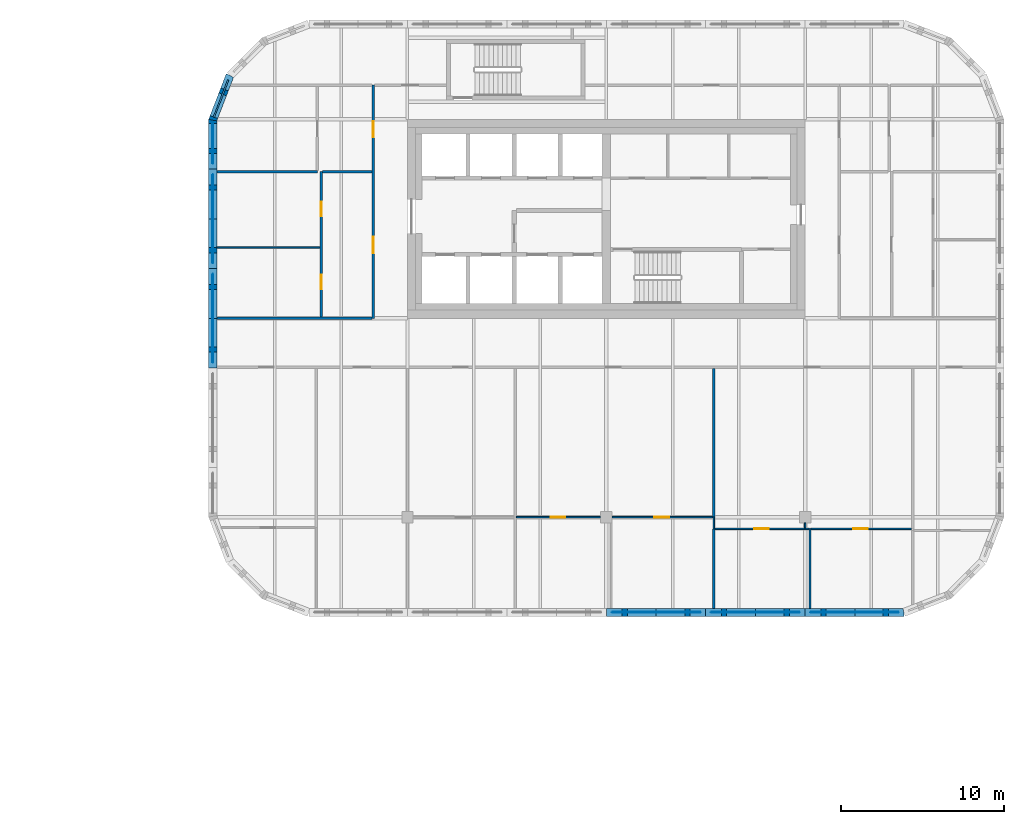
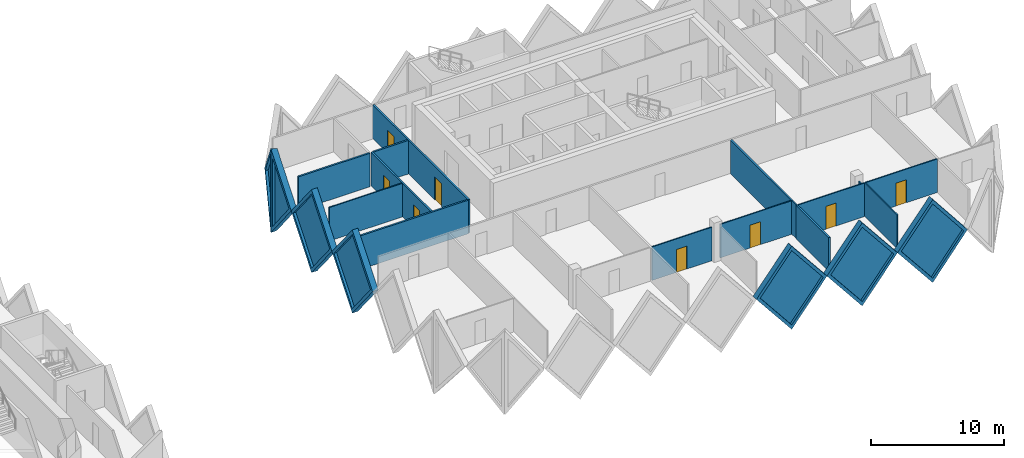
# One storey, part 12 of 19: 22 walls, 8 doors, 7 plates, 15 openings.
"""IFC4 building model written with IfcOpenShell, lengths in metres."""

from ifc_helpers import new_model, si_unit, direction, frame, frame_2d, origin, place, context, subcontext, project, spatial, polyline, rectangle, outline, extrude, faceted_brep, source, transform, mapped, material, layer, layer_set, type_object, element, fill, save


model = new_model("IFC4")

# Units and contexts
model_context = context("Model", 3, precision=1e-05, world=origin(), true_north=direction((0.0, 1.0)))
body_context = subcontext(model_context, "Body", "Model", "MODEL_VIEW")
ifc_project = project(units=[si_unit("LENGTHUNIT", "METRE"), si_unit("AREAUNIT", "SQUARE_METRE"), si_unit("VOLUMEUNIT", "CUBIC_METRE"), si_unit("PLANEANGLEUNIT", "RADIAN"), si_unit("MASSUNIT", "GRAM", prefix="KILO")], contexts=[model_context])

# Site, building, storey
site_placement = place(None, origin())
site = spatial("IfcSite", under=ifc_project, at=site_placement, CompositionType="ELEMENT")
building_placement = place(site_placement, origin())
building = spatial("IfcBuilding", under=site, at=building_placement, Name="Tessera Gate Towers", CompositionType="ELEMENT")
storey_placement = place(building_placement, frame((0.0, 0.0, 87.60009765625)))
storey = spatial("IfcBuildingStorey", under=building, at=storey_placement, Name="L21", CompositionType="ELEMENT", Elevation=87.60009765625)

# Wall
ifc_material_1 = material(Name="Gypsum board on steel studs, mineral wool", Category="steel")
ifc_layer_1 = layer(ifc_material_1, 0.14990234375)
ifc_layer_set_1 = layer_set([ifc_layer_1], Name="CORRIDOR WALL 150")
wall_type_1 = type_object("IfcWallType", Name="CORRIDOR WALL 150", PredefinedType="PARTITIONING", material=ifc_layer_set_1)
wall_1_placement = place(storey_placement, frame((85.89990234375, 36.60009765625, 0.0), z_axis=(0.0, 0.0, 1.0), x_axis=(1.0, 0.0, 0.0)))
element("IfcWall", 1, at=wall_1_placement, inside=storey, type_object=wall_type_1, Name="T2-L21-PW-022", PredefinedType="PARTITIONING", context=body_context, shape_type="SweptSolid", body=[
    extrude(rectangle(XDim=9.524169921875, YDim=0.14990234375, at=frame_2d((4.76220703125, 0.0))), origin(), (0.0, 0.0, 1.0), 3.06689453125),
])

# Wall, openings, doors
wall_2_placement = place(storey_placement, frame((95.5, 36.60009765625, 0.0), z_axis=(0.0, 0.0, 1.0), x_axis=(0.0, 1.0, 0.0)))
wall_2 = element("IfcWall", 2, at=wall_2_placement, inside=storey, type_object=wall_type_1, Name="T2-L21-PW-023", PredefinedType="PARTITIONING", context=body_context, shape_type="SweptSolid", body=[
    extrude(rectangle(XDim=14.2998046875, YDim=0.14990234375, at=frame_2d((7.14990234375, 0.0))), origin(), (0.0, 0.0, 1.0), 3.06689453125),
])
shared_shape_1 = source(origin(), body_context, "Body", "SweptSolid", [
    extrude(rectangle(XDim=1.0, YDim=2.10009765625, at=frame_2d((0.5, 1.050048828125))), frame((0.0, 0.0849609375, 0.0), z_axis=(0.0, -1.0, 0.0), x_axis=(1.0, 0.0, 0.0)), (0.0, 0.0, 1.0), 0.169921875),
])
opening_1_placement = place(wall_2_placement, frame((11.10107421875, 0.0, 0.0)))
opening_1 = element("IfcOpeningElement", 3, at=opening_1_placement, cuts=wall_2, Name="Opening D2100FD60-B09-03", PredefinedType="OPENING", context=body_context, shape_type="MappedRepresentation", body=[
    mapped(shared_shape_1, transform((0.0, 0.0, 0.0), scale=1.0)),
])
opening_2_placement = place(wall_2_placement, frame((4.0, 0.0, 0.0)))
opening_2 = element("IfcOpeningElement", 4, at=opening_2_placement, cuts=wall_2, Name="Opening D2100FD60-B09-05", PredefinedType="OPENING", context=body_context, shape_type="MappedRepresentation", body=[
    mapped(shared_shape_1, transform((0.0, 0.0, 0.0), scale=1.0)),
])
ifc_material_2 = material(Name="Timber door leaf in steel frame", Category="steel")
door_type_1 = type_object("IfcDoorType", Name="TENANCY ENTRANCE DOOR 1000 FD60", OperationType="NOTDEFINED", PredefinedType="DOOR", material=ifc_material_2)
shared_shape_2 = source(origin(), body_context, "Body", "SweptSolid", [
    extrude(rectangle(XDim=1.0, YDim=2.10009765625, at=frame_2d((0.5, 1.050048828125))), frame((0.0, 0.02490234375, 0.0), z_axis=(0.0, -1.0, 0.0), x_axis=(1.0, 0.0, 0.0)), (0.0, 0.0, 1.0), 0.050048828125),
])
door_1_placement = place(opening_1_placement, origin())
door_1 = element("IfcDoor", 5, at=door_1_placement, inside=storey, type_object=door_type_1, Name="T2-L21-PD-012", OperationType="SINGLE_SWING_LEFT", OverallHeight=2.10009765625, OverallWidth=1.0, PredefinedType="DOOR", context=body_context, shape_type="MappedRepresentation", body=[
    mapped(shared_shape_2, transform((0.0, 0.0, 0.0), scale=1.0)),
])
fill(opening_1, door_1)
door_2_placement = place(opening_2_placement, origin())
door_2 = element("IfcDoor", 6, at=door_2_placement, inside=storey, type_object=door_type_1, Name="T2-L21-PD-023", OperationType="SINGLE_SWING_LEFT", OverallHeight=2.10009765625, OverallWidth=1.0, PredefinedType="DOOR", context=body_context, shape_type="MappedRepresentation", body=[
    mapped(shared_shape_2, transform((0.0, 0.0, 0.0), scale=1.0)),
])
fill(opening_2, door_2)

# Wall
ifc_material_3 = material(Name="Glass", Category="glass")
ifc_layer_2 = layer(ifc_material_3, 0.10009765625)
ifc_layer_set_2 = layer_set([ifc_layer_2], Name="GLAZED PARTITION 100")
wall_type_2 = type_object("IfcWallType", Name="GLAZED PARTITION 100", PredefinedType="PARTITIONING", material=ifc_layer_set_2)
wall_3_placement = place(storey_placement, frame((116.39990234375, 23.680908203125, 0.0), z_axis=(0.0, 0.0, 1.0), x_axis=(0.0, 1.0, 0.0)))
element("IfcWall", 7, at=wall_3_placement, inside=storey, type_object=wall_type_2, Name="T2-L21-PW-009", PredefinedType="PARTITIONING", context=body_context, shape_type="SweptSolid", body=[
    extrude(rectangle(XDim=0.718017578125, YDim=0.10009765625, at=frame_2d((0.35888671875, 0.0))), origin(), (0.0, 0.0, 1.0), 3.06689453125),
])

# Wall, opening, door
wall_4_placement = place(storey_placement, frame((122.24267578125, 23.679931640625, 0.0), z_axis=(0.0, 0.0, 1.0), x_axis=(-1.0, 0.0, 0.0)))
wall_4 = element("IfcWall", 8, at=wall_4_placement, inside=storey, type_object=wall_type_2, Name="T2-L21-PW-010", PredefinedType="PARTITIONING", context=body_context, shape_type="SweptSolid", body=[
    extrude(rectangle(XDim=5.7666015625, YDim=0.10009765625, at=frame_2d((2.88330078125, 0.0))), origin(), (0.0, 0.0, 1.0), 3.06689453125),
])
shared_shape_3 = source(origin(), body_context, "Body", "SweptSolid", [
    extrude(rectangle(XDim=0.89990234375, YDim=2.10009765625, at=frame_2d((0.449951171875, 1.050048828125))), frame((0.0, 0.06005859375, 0.0), z_axis=(0.0, -1.0, 0.0), x_axis=(1.0, 0.0, 0.0)), (0.0, 0.0, 1.0), 0.1201171875),
])
opening_3_placement = place(wall_4_placement, frame((2.466796875, 0.0, 0.0)))
opening_3 = element("IfcOpeningElement", 9, at=opening_3_placement, cuts=wall_4, Name="Opening D690-B09-03", PredefinedType="OPENING", context=body_context, shape_type="MappedRepresentation", body=[
    mapped(shared_shape_3, transform((0.0, 0.0, 0.0), scale=1.0)),
])
ifc_material_4 = material(Name="Glass in aluminium frame", Category="aluminium")
door_type_2 = type_object("IfcDoorType", Name="GLAZED DOOR 900 NOT RATED", OperationType="NOTDEFINED", PredefinedType="DOOR", material=ifc_material_4)
shared_shape_4 = source(origin(), body_context, "Body", "SweptSolid", [
    extrude(rectangle(XDim=0.89990234375, YDim=2.10009765625, at=frame_2d((0.449951171875, 1.050048828125))), frame((0.0, 0.02490234375, 0.0), z_axis=(0.0, -1.0, 0.0), x_axis=(1.0, 0.0, 0.0)), (0.0, 0.0, 1.0), 0.050048828125),
])
door_3_placement = place(opening_3_placement, origin())
door_3 = element("IfcDoor", 10, at=door_3_placement, inside=storey, type_object=door_type_2, Name="T2-L21-PD-016", OperationType="SINGLE_SWING_RIGHT", OverallHeight=2.10009765625, OverallWidth=0.89990234375, PredefinedType="DOOR", context=body_context, shape_type="MappedRepresentation", body=[
    mapped(shared_shape_4, transform((0.0, 0.0, 0.0), scale=1.0)),
])
fill(opening_3, door_3)

wall_5_placement = place(storey_placement, frame((128.52392578125, 23.679931640625, 0.0), z_axis=(0.0, 0.0, 1.0), x_axis=(-1.0, 0.0, 0.0)))
wall_5 = element("IfcWall", 11, at=wall_5_placement, inside=storey, type_object=wall_type_2, Name="T2-L21-PW-011", PredefinedType="PARTITIONING", context=body_context, shape_type="SweptSolid", body=[
    extrude(rectangle(XDim=6.17919921875, YDim=0.10009765625, at=frame_2d((3.089599609375, 0.0))), origin(), (0.0, 0.0, 1.0), 3.06689453125),
])
opening_4_placement = place(wall_5_placement, frame((2.67919921875, 0.0, 0.0)))
opening_4 = element("IfcOpeningElement", 12, at=opening_4_placement, cuts=wall_5, Name="Opening D690-B09-05", PredefinedType="OPENING", context=body_context, shape_type="MappedRepresentation", body=[
    mapped(shared_shape_3, transform((0.0, 0.0, 0.0), scale=1.0)),
])
door_4_placement = place(opening_4_placement, origin())
door_4 = element("IfcDoor", 13, at=door_4_placement, inside=storey, type_object=door_type_2, Name="T2-L21-PD-020", OperationType="SINGLE_SWING_RIGHT", OverallHeight=2.10009765625, OverallWidth=0.89990234375, PredefinedType="DOOR", context=body_context, shape_type="MappedRepresentation", body=[
    mapped(shared_shape_4, transform((0.0, 0.0, 0.0), scale=1.0)),
])
fill(opening_4, door_4)

wall_6_placement = place(storey_placement, frame((109.448974609375, 24.39990234375, 0.0), z_axis=(0.0, 0.0, 1.0), x_axis=(-1.0, 0.0, 0.0)))
wall_6 = element("IfcWall", 14, at=wall_6_placement, inside=storey, type_object=wall_type_2, Name="T2-L21-PW-017", PredefinedType="PARTITIONING", context=body_context, shape_type="SweptSolid", body=[
    extrude(rectangle(XDim=5.173095703125, YDim=0.10009765625, at=frame_2d((2.58642578125, 0.0))), origin(), (0.0, 0.0, 1.0), 3.06689453125),
])
opening_5_placement = place(wall_6_placement, frame((2.173095703125, 0.0, 0.0)))
opening_5 = element("IfcOpeningElement", 15, at=opening_5_placement, cuts=wall_6, Name="Opening D690-B09-01", PredefinedType="OPENING", context=body_context, shape_type="MappedRepresentation", body=[
    mapped(shared_shape_3, transform((0.0, 0.0, 0.0), scale=1.0)),
])
door_5_placement = place(opening_5_placement, origin())
door_5 = element("IfcDoor", 16, at=door_5_placement, inside=storey, type_object=door_type_2, Name="T2-L21-PD-010", OperationType="SINGLE_SWING_RIGHT", OverallHeight=2.10009765625, OverallWidth=0.89990234375, PredefinedType="DOOR", context=body_context, shape_type="MappedRepresentation", body=[
    mapped(shared_shape_4, transform((0.0, 0.0, 0.0), scale=1.0)),
])
fill(opening_5, door_5)

wall_7_placement = place(storey_placement, frame((116.323974609375, 24.39990234375, 0.0), z_axis=(0.0, 0.0, 1.0), x_axis=(-1.0, 0.0, 0.0)))
wall_7 = element("IfcWall", 17, at=wall_7_placement, inside=storey, type_object=wall_type_2, Name="T2-L21-PW-018", PredefinedType="PARTITIONING", context=body_context, shape_type="SweptSolid", body=[
    extrude(rectangle(XDim=6.173095703125, YDim=0.10009765625, at=frame_2d((3.08642578125, 0.0))), origin(), (0.0, 0.0, 1.0), 3.06689453125),
])
opening_6_placement = place(wall_7_placement, frame((2.673095703125, 0.0, 0.0)))
opening_6 = element("IfcOpeningElement", 18, at=opening_6_placement, cuts=wall_7, Name="Opening D690-B09-04", PredefinedType="OPENING", context=body_context, shape_type="MappedRepresentation", body=[
    mapped(shared_shape_3, transform((0.0, 0.0, 0.0), scale=1.0)),
])
door_6_placement = place(opening_6_placement, origin())
door_6 = element("IfcDoor", 19, at=door_6_placement, inside=storey, type_object=door_type_2, Name="T2-L21-PD-019", OperationType="SINGLE_SWING_RIGHT", OverallHeight=2.10009765625, OverallWidth=0.89990234375, PredefinedType="DOOR", context=body_context, shape_type="MappedRepresentation", body=[
    mapped(shared_shape_4, transform((0.0, 0.0, 0.0), scale=1.0)),
])
fill(opening_6, door_6)

# Walls
ifc_material_5 = material(Name="Gypsum board on steel studs", Category="steel")
ifc_layer_3 = layer(ifc_material_5, 0.10009765625)
ifc_layer_set_3 = layer_set([ifc_layer_3], Name="PARTITION 100")
wall_type_3 = type_object("IfcWallType", Name="PARTITION 100", PredefinedType="PARTITIONING", material=ifc_layer_set_3)
wall_8_placement = place(storey_placement, frame((122.2939453125, 18.800048828125, 0.0), z_axis=(0.0, 0.0, 1.0), x_axis=(0.0, 1.0, 0.0)))
element("IfcWall", 20, at=wall_8_placement, inside=storey, type_object=wall_type_3, Name="T2-L21-PW-006", PredefinedType="PARTITIONING", context=body_context, shape_type="SweptSolid", body=[
    extrude(rectangle(XDim=4.8798828125, YDim=0.10009765625, at=frame_2d((2.43994140625, 0.0))), origin(), (0.0, 0.0, 1.0), 3.06689453125),
])
wall_9_placement = place(storey_placement, frame((122.0, 24.050048828125, 0.0), z_axis=(0.0, 0.0, 1.0), x_axis=(0.0, -1.0, 0.0)))
element("IfcWall", 21, at=wall_9_placement, inside=storey, type_object=wall_type_3, Name="T2-L21-PW-015", PredefinedType="PARTITIONING", context=body_context, shape_type="SweptSolid", body=[
    extrude(rectangle(XDim=0.320068359375, YDim=0.10009765625, at=frame_2d((0.16015625, 0.0))), origin(), (0.0, 0.0, 1.0), 3.06689453125),
])
wall_10_placement = place(storey_placement, frame((85.89990234375, 40.947998046875, 0.0), z_axis=(0.0, 0.0, 1.0), x_axis=(1.0, 0.0, 0.0)))
element("IfcWall", 22, at=wall_10_placement, inside=storey, type_object=wall_type_3, Name="T2-L21-PW-029", PredefinedType="PARTITIONING", context=body_context, shape_type="SweptSolid", body=[
    extrude(rectangle(XDim=6.32421875, YDim=0.10009765625, at=frame_2d((3.162109375, 0.0))), origin(), (0.0, 0.0, 1.0), 3.06689453125),
])
ifc_material_6 = material(Name="Gypsum board on steel studs, mineral wool", Category="steel")
ifc_layer_4 = layer(ifc_material_6, 0.14990234375)
ifc_layer_set_4 = layer_set([ifc_layer_4], Name="TENANCY WALL 150")
wall_type_4 = type_object("IfcWallType", Name="TENANCY WALL 150", PredefinedType="PARTITIONING", material=ifc_layer_set_4)
wall_11_placement = place(storey_placement, frame((116.39990234375, 18.800048828125, 0.0), z_axis=(0.0, 0.0, 1.0), x_axis=(0.0, 1.0, 0.0)))
element("IfcWall", 23, at=wall_11_placement, inside=storey, type_object=wall_type_4, Name="T2-L21-PW-005", PredefinedType="PARTITIONING", context=body_context, shape_type="SweptSolid", body=[
    extrude(rectangle(XDim=4.8798828125, YDim=0.14990234375, at=frame_2d((2.43994140625, 0.0))), origin(), (0.0, 0.0, 1.0), 3.06689453125),
])
wall_12_placement = place(storey_placement, frame((116.39990234375, 24.39990234375, 0.0), z_axis=(0.0, 0.0, 1.0), x_axis=(0.0, 1.0, 0.0)))
element("IfcWall", 24, at=wall_12_placement, inside=storey, type_object=wall_type_4, Name="T2-L21-PW-019", PredefinedType="PARTITIONING", context=body_context, shape_type="SweptSolid", body=[
    extrude(rectangle(XDim=9.1240234375, YDim=0.14990234375, at=frame_2d((4.56201171875, 0.0))), origin(), (0.0, 0.0, 1.0), 3.06689453125),
])

# Wall, openings, doors
wall_13_placement = place(storey_placement, frame((92.300048828125, 36.676025390625, 0.0), z_axis=(0.0, 0.0, 1.0), x_axis=(0.0, 1.0, 0.0)))
wall_13 = element("IfcWall", 25, at=wall_13_placement, inside=storey, type_object=wall_type_4, Name="T2-L21-PW-026", PredefinedType="PARTITIONING", context=body_context, shape_type="SweptSolid", body=[
    extrude(rectangle(XDim=8.924072265625, YDim=0.14990234375, at=frame_2d((4.4619140625, 0.0))), origin(), (0.0, 0.0, 1.0), 3.06689453125),
])
shared_shape_5 = source(origin(), body_context, "Body", "SweptSolid", [
    extrude(rectangle(XDim=0.89990234375, YDim=2.10009765625, at=frame_2d((0.449951171875, 1.050048828125))), frame((0.0, 0.0849609375, 0.0), z_axis=(0.0, -1.0, 0.0), x_axis=(1.0, 0.0, 0.0)), (0.0, 0.0, 1.0), 0.169921875),
])
opening_7_placement = place(wall_13_placement, frame((1.699951171875, 0.0, 0.0)))
opening_7 = element("IfcOpeningElement", 26, at=opening_7_placement, cuts=wall_13, Name="Opening D190-B09-02", PredefinedType="OPENING", context=body_context, shape_type="MappedRepresentation", body=[
    mapped(shared_shape_5, transform((0.0, 0.0, 0.0), scale=1.0)),
])
opening_8_placement = place(wall_13_placement, frame((6.171875, 0.0, 0.0)))
opening_8 = element("IfcOpeningElement", 27, at=opening_8_placement, cuts=wall_13, Name="Opening D190-B09-03", PredefinedType="OPENING", context=body_context, shape_type="MappedRepresentation", body=[
    mapped(shared_shape_5, transform((0.0, 0.0, 0.0), scale=1.0)),
])
ifc_material_7 = material(Name="Timber door leaf in steel frame", Category="steel")
door_type_3 = type_object("IfcDoorType", Name="INTERNAL DOOR 900 NOT RATED", OperationType="NOTDEFINED", PredefinedType="DOOR", material=ifc_material_7)
door_7_placement = place(opening_7_placement, origin())
door_7 = element("IfcDoor", 28, at=door_7_placement, inside=storey, type_object=door_type_3, Name="T2-L21-PD-002", OperationType="SINGLE_SWING_LEFT", OverallHeight=2.10009765625, OverallWidth=0.89990234375, PredefinedType="DOOR", context=body_context, shape_type="MappedRepresentation", body=[
    mapped(shared_shape_4, transform((0.0, 0.0, 0.0), scale=1.0)),
])
fill(opening_7, door_7)
door_8_placement = place(opening_8_placement, origin())
door_8 = element("IfcDoor", 29, at=door_8_placement, inside=storey, type_object=door_type_3, Name="T2-L21-PD-004", OperationType="SINGLE_SWING_LEFT", OverallHeight=2.10009765625, OverallWidth=0.89990234375, PredefinedType="DOOR", context=body_context, shape_type="MappedRepresentation", body=[
    mapped(shared_shape_4, transform((0.0, 0.0, 0.0), scale=1.0)),
])
fill(opening_8, door_8)

# Walls
wall_14_placement = place(storey_placement, frame((85.89990234375, 45.60009765625, 0.0), z_axis=(0.0, 0.0, 1.0), x_axis=(1.0, 0.0, 0.0)))
element("IfcWall", 30, at=wall_14_placement, inside=storey, type_object=wall_type_4, Name="T2-L21-PW-031", PredefinedType="PARTITIONING", context=body_context, shape_type="SweptSolid", body=[
    extrude(rectangle(XDim=6.175048828125, YDim=0.14990234375, at=frame_2d((3.08740234375, 0.0))), origin(), (0.0, 0.0, 1.0), 3.06689453125),
])
wall_15_placement = place(storey_placement, frame((92.3759765625, 45.60009765625, 0.0), z_axis=(0.0, 0.0, 1.0), x_axis=(1.0, 0.0, 0.0)))
element("IfcWall", 31, at=wall_15_placement, inside=storey, type_object=wall_type_4, Name="T2-L21-PW-032", PredefinedType="PARTITIONING", context=body_context, shape_type="SweptSolid", body=[
    extrude(rectangle(XDim=3.048095703125, YDim=0.14990234375, at=frame_2d((1.52392578125, 0.0))), origin(), (0.0, 0.0, 1.0), 3.06689453125),
])

# Wall, opening, plate
ifc_material_8 = material(Name="Precast concrete C60/75 white", Category="concrete")
ifc_layer_5 = layer(ifc_material_8, 0.5)
ifc_layer_set_5 = layer_set([ifc_layer_5], Name="TS1 tessera")
wall_type_5 = type_object("IfcWallType", Name="TS1 tessera", PredefinedType="SOLIDWALL", material=ifc_layer_set_5)
shared_shape_6 = source(origin(), body_context, "Body", "Brep", [
    faceted_brep([(3.050048828125, -0.25, 0.0), (6.099853515625, -0.25, 3.7998046875), (6.099853515625, -0.25, 3.80029296875), (3.050048828125, -0.25, 7.599853515625), (0.0, -0.25, 3.800048828125), (0.0, 0.25, 3.800048828125), (3.050048828125, 0.25, 7.599853515625), (6.099853515625, 0.25, 3.80029296875), (6.099853515625, 0.25, 3.7998046875), (3.050048828125, 0.25, 0.0)], [[[0, 1, 2, 3, 4]], [[5, 6, 7, 8, 9]], [[9, 8, 1, 0]], [[7, 6, 3, 2]], [[6, 5, 4, 3]], [[5, 9, 0, 4]], [[1, 8, 7, 2]]]),
])
wall_16_placement = place(storey_placement, frame((109.800048828125, 18.550048828125, -3.800048828125), z_axis=(0.0, 0.0, 1.0), x_axis=(1.0, 0.0, 0.0)))
wall_16 = element("IfcWall", 32, at=wall_16_placement, inside=storey, type_object=wall_type_5, Name="Precast tessera T2 TS1-0255", PredefinedType="SOLIDWALL", context=body_context, shape_type="MappedRepresentation", body=[
    mapped(shared_shape_6, transform((0.0, 0.0, 0.0), scale=1.0)),
])
shared_shape_7 = source(origin(), body_context, "Body", "SweptSolid", [
    extrude(outline(polyline([(3.050048828125, 0.3994140625), (5.779541015625, 3.800048828125), (3.050048828125, 7.200439453125), (0.320556640625, 3.800048828125), (3.050048828125, 0.3994140625)])), frame((0.0, 0.260009765625, 0.0), z_axis=(0.0, -1.0, 0.0), x_axis=(1.0, 0.0, 0.0)), (0.0, 0.0, 1.0), 0.52001953125),
])
opening_9_placement = place(wall_16_placement, origin())
opening_9 = element("IfcOpeningElement", 33, at=opening_9_placement, cuts=wall_16, Name="Opening T2-PL2-0479", PredefinedType="OPENING", context=body_context, shape_type="MappedRepresentation", body=[
    mapped(shared_shape_7, transform((0.0, 0.0, 0.0), scale=1.0)),
])
ifc_material_9 = material(Name="Low-e laminated glass", Category="glass")
ifc_layer_6 = layer(ifc_material_9, 0.06005859375)
ifc_layer_set_6 = layer_set([ifc_layer_6], Name="PL2 rhombic pane")
plate_type = type_object("IfcPlateType", Name="PL2 rhombic pane", PredefinedType="SHEET", material=ifc_layer_set_6)
shared_shape_8 = source(origin(), body_context, "Body", "SweptSolid", [
    extrude(outline(polyline([(3.050048828125, 0.3994140625), (5.779541015625, 3.800048828125), (3.050048828125, 7.200439453125), (0.320556640625, 3.800048828125), (3.050048828125, 0.3994140625)])), frame((0.0, 0.030029296875, 0.0), z_axis=(0.0, -1.0, 0.0), x_axis=(1.0, 0.0, 0.0)), (0.0, 0.0, 1.0), 0.06005859375),
])
plate_1_placement = place(opening_9_placement, origin())
plate_1 = element("IfcPlate", 34, at=plate_1_placement, inside=storey, type_object=plate_type, Name="Glass pane T2 PL2-0479", PredefinedType="SHEET", context=body_context, shape_type="MappedRepresentation", body=[
    mapped(shared_shape_8, transform((0.0, 0.0, 0.0), scale=1.0)),
])
fill(opening_9, plate_1)

wall_17_placement = place(storey_placement, frame((85.64990234375, 39.64990234375, -3.800048828125), z_axis=(0.0, 0.0, 1.0), x_axis=(0.0, -1.0, 0.0)))
wall_17 = element("IfcWall", 35, at=wall_17_placement, inside=storey, type_object=wall_type_5, Name="Precast tessera T2 TS1-0268", PredefinedType="SOLIDWALL", context=body_context, shape_type="MappedRepresentation", body=[
    mapped(shared_shape_6, transform((0.0, 0.0, 0.0), scale=1.0)),
])
opening_10_placement = place(wall_17_placement, origin())
opening_10 = element("IfcOpeningElement", 36, at=opening_10_placement, cuts=wall_17, Name="Opening T2-PL2-0504", PredefinedType="OPENING", context=body_context, shape_type="MappedRepresentation", body=[
    mapped(shared_shape_7, transform((0.0, 0.0, 0.0), scale=1.0)),
])
plate_2_placement = place(opening_10_placement, origin())
plate_2 = element("IfcPlate", 37, at=plate_2_placement, inside=storey, type_object=plate_type, Name="Glass pane T2 PL2-0504", PredefinedType="SHEET", context=body_context, shape_type="MappedRepresentation", body=[
    mapped(shared_shape_8, transform((0.0, 0.0, 0.0), scale=1.0)),
])
fill(opening_10, plate_2)

shared_shape_9 = source(origin(), body_context, "Body", "SweptSolid", [
    extrude(outline(polyline([(3.050048828125, 0.0), (6.10009765625, 3.800048828125), (3.050048828125, 7.599853515625), (0.0, 3.800048828125), (3.050048828125, 0.0)])), frame((0.0, 0.25, 0.0), z_axis=(0.0, -1.0, 0.0), x_axis=(1.0, 0.0, 0.0)), (0.0, 0.0, 1.0), 0.5),
])
wall_18_placement = place(storey_placement, frame((115.89990234375, 18.550048828125, -3.800048828125), z_axis=(0.0, 0.0, 1.0), x_axis=(1.0, 0.0, 0.0)))
wall_18 = element("IfcWall", 38, at=wall_18_placement, inside=storey, type_object=wall_type_5, Name="Precast tessera T2 TS1-0256", PredefinedType="SOLIDWALL", context=body_context, shape_type="MappedRepresentation", body=[
    mapped(shared_shape_9, transform((0.0, 0.0, 0.0), scale=1.0)),
])
opening_11_placement = place(wall_18_placement, origin())
opening_11 = element("IfcOpeningElement", 39, at=opening_11_placement, cuts=wall_18, Name="Opening T2-PL2-0480", PredefinedType="OPENING", context=body_context, shape_type="MappedRepresentation", body=[
    mapped(shared_shape_7, transform((0.0, 0.0, 0.0), scale=1.0)),
])
plate_3_placement = place(opening_11_placement, origin())
plate_3 = element("IfcPlate", 40, at=plate_3_placement, inside=storey, type_object=plate_type, Name="Glass pane T2 PL2-0480", PredefinedType="SHEET", context=body_context, shape_type="MappedRepresentation", body=[
    mapped(shared_shape_8, transform((0.0, 0.0, 0.0), scale=1.0)),
])
fill(opening_11, plate_3)

wall_19_placement = place(storey_placement, frame((85.64990234375, 45.75, -3.800048828125), z_axis=(0.0, 0.0, 1.0), x_axis=(0.0, -1.0, 0.0)))
wall_19 = element("IfcWall", 41, at=wall_19_placement, inside=storey, type_object=wall_type_5, Name="Precast tessera T2 TS1-0267", PredefinedType="SOLIDWALL", context=body_context, shape_type="MappedRepresentation", body=[
    mapped(shared_shape_9, transform((0.0, 0.0, 0.0), scale=1.0)),
])
opening_12_placement = place(wall_19_placement, origin())
opening_12 = element("IfcOpeningElement", 42, at=opening_12_placement, cuts=wall_19, Name="Opening T2-PL2-0503", PredefinedType="OPENING", context=body_context, shape_type="MappedRepresentation", body=[
    mapped(shared_shape_7, transform((0.0, 0.0, 0.0), scale=1.0)),
])
plate_4_placement = place(opening_12_placement, origin())
plate_4 = element("IfcPlate", 43, at=plate_4_placement, inside=storey, type_object=plate_type, Name="Glass pane T2 PL2-0503", PredefinedType="SHEET", context=body_context, shape_type="MappedRepresentation", body=[
    mapped(shared_shape_8, transform((0.0, 0.0, 0.0), scale=1.0)),
])
fill(opening_12, plate_4)

shared_shape_10 = source(origin(), body_context, "Body", "Brep", [
    faceted_brep([(3.050048828125, -0.25, 0.0), (6.053466796875, -0.25, 3.800048828125), (3.050048828125, -0.25, 7.599853515625), (0.0, -0.25, 3.800048828125), (0.0, 0.25, 3.800048828125), (3.050048828125, 0.25, 7.599853515625), (6.0068359375, 0.25, 3.85888671875), (6.0068359375, 0.25, 3.7412109375), (3.050048828125, 0.25, 0.0), (6.053466796875, 0.0, 3.800048828125)], [[[0, 1, 2, 3]], [[4, 5, 6, 7, 8]], [[8, 7, 9, 1, 0]], [[6, 5, 2, 1, 9]], [[5, 4, 3, 2]], [[4, 8, 0, 3]], [[7, 6, 9]]]),
])
wall_20_placement = place(storey_placement, frame((122.0, 18.550048828125, -3.800048828125), z_axis=(0.0, 0.0, 1.0), x_axis=(1.0, 0.0, 0.0)))
wall_20 = element("IfcWall", 44, at=wall_20_placement, inside=storey, type_object=wall_type_5, Name="Precast tessera T2 TS1-0257", PredefinedType="SOLIDWALL", context=body_context, shape_type="MappedRepresentation", body=[
    mapped(shared_shape_10, transform((0.0, 0.0, 0.0), scale=1.0)),
])
shared_shape_11 = source(origin(), body_context, "Body", "SweptSolid", [
    extrude(outline(polyline([(3.048583984375, 0.401123046875), (5.73486328125, 3.800048828125), (3.048583984375, 7.19873046875), (0.320556640625, 3.800048828125), (3.048583984375, 0.401123046875)])), frame((0.0, 0.260009765625, 0.0), z_axis=(0.0, -1.0, 0.0), x_axis=(1.0, 0.0, 0.0)), (0.0, 0.0, 1.0), 0.52001953125),
])
opening_13_placement = place(wall_20_placement, origin())
opening_13 = element("IfcOpeningElement", 45, at=opening_13_placement, cuts=wall_20, Name="Opening T2-PL2-0481", PredefinedType="OPENING", context=body_context, shape_type="MappedRepresentation", body=[
    mapped(shared_shape_11, transform((0.0, 0.0, 0.0), scale=1.0)),
])
shared_shape_12 = source(origin(), body_context, "Body", "SweptSolid", [
    extrude(outline(polyline([(3.048583984375, 0.401123046875), (5.73486328125, 3.800048828125), (3.048583984375, 7.19873046875), (0.320556640625, 3.800048828125), (3.048583984375, 0.401123046875)])), frame((0.0, 0.030029296875, 0.0), z_axis=(0.0, -1.0, 0.0), x_axis=(1.0, 0.0, 0.0)), (0.0, 0.0, 1.0), 0.06005859375),
])
plate_5_placement = place(opening_13_placement, origin())
plate_5 = element("IfcPlate", 46, at=plate_5_placement, inside=storey, type_object=plate_type, Name="Glass pane T2 PL2-0481", PredefinedType="SHEET", context=body_context, shape_type="MappedRepresentation", body=[
    mapped(shared_shape_12, transform((0.0, 0.0, 0.0), scale=1.0)),
])
fill(opening_13, plate_5)

ifc_material_10 = material(Name="Precast concrete C60/75 white", Category="concrete")
ifc_layer_7 = layer(ifc_material_10, 0.5)
ifc_layer_set_7 = layer_set([ifc_layer_7], Name="TS3 corner tessera")
wall_type_6 = type_object("IfcWallType", Name="TS3 corner tessera", PredefinedType="SOLIDWALL", material=ifc_layer_set_7)
shared_shape_13 = source(origin(), body_context, "Body", "Brep", [
    faceted_brep([(0.046630859375, -0.25, 0.0), (3.050048828125, -0.25, 3.800048828125), (0.046630859375, -0.25, 7.599853515625), (0.0, -0.25, 7.539794921875), (0.0, -0.25, 0.06005859375), (0.09326171875, 0.25, 7.541015625), (3.050048828125, 0.25, 3.800048828125), (0.09326171875, 0.25, 0.058837890625), (0.046630859375, 0.0, 0.0), (0.046630859375, 0.0, 7.599853515625)], [[[0, 1, 2, 3, 4]], [[5, 6, 7]], [[7, 6, 1, 0, 8]], [[6, 5, 9, 2, 1]], [[3, 2, 9]], [[8, 0, 4]], [[7, 8, 4, 3, 9, 5]]]),
])
wall_21_placement = place(storey_placement, frame((85.64990234375, 48.800048828125, -3.800048828125), z_axis=(0.0, 0.0, 1.0), x_axis=(0.0, -1.0, 0.0)))
wall_21 = element("IfcWall", 47, at=wall_21_placement, inside=storey, type_object=wall_type_6, Name="Precast corner tessera T2 TS3-0316", PredefinedType="SOLIDWALL", context=body_context, shape_type="MappedRepresentation", body=[
    mapped(shared_shape_13, transform((0.0, 0.0, 0.0), scale=1.0)),
])
shared_shape_14 = source(origin(), body_context, "Body", "SweptSolid", [
    extrude(outline(polyline([(0.24658203125, 0.65625), (2.7314453125, 3.800048828125), (0.24658203125, 6.94384765625), (0.24658203125, 0.65625)])), frame((0.0, 0.260009765625, 0.0), z_axis=(0.0, -1.0, 0.0), x_axis=(1.0, 0.0, 0.0)), (0.0, 0.0, 1.0), 0.52001953125),
])
opening_14_placement = place(wall_21_placement, origin())
opening_14 = element("IfcOpeningElement", 48, at=opening_14_placement, cuts=wall_21, Name="Opening T2-PL2-0502", PredefinedType="OPENING", context=body_context, shape_type="MappedRepresentation", body=[
    mapped(shared_shape_14, transform((0.0, 0.0, 0.0), scale=1.0)),
])
shared_shape_15 = source(origin(), body_context, "Body", "SweptSolid", [
    extrude(outline(polyline([(0.24658203125, 0.65625), (2.7314453125, 3.800048828125), (0.24658203125, 6.94384765625), (0.24658203125, 0.65625)])), frame((0.0, 0.030029296875, 0.0), z_axis=(0.0, -1.0, 0.0), x_axis=(1.0, 0.0, 0.0)), (0.0, 0.0, 1.0), 0.06005859375),
])
plate_6_placement = place(opening_14_placement, origin())
plate_6 = element("IfcPlate", 49, at=plate_6_placement, inside=storey, type_object=plate_type, Name="Glass pane T2 PL2-0502", PredefinedType="SHEET", context=body_context, shape_type="MappedRepresentation", body=[
    mapped(shared_shape_15, transform((0.0, 0.0, 0.0), scale=1.0)),
])
fill(opening_14, plate_6)

shared_shape_16 = source(origin(), body_context, "Body", "Brep", [
    faceted_brep([(2.950439453125, -0.25, 0.0), (2.9970703125, -0.25, 0.05908203125), (2.9970703125, -0.25, 7.540771484375), (2.950439453125, -0.25, 7.599853515625), (0.0, -0.25, 3.800048828125), (0.052978515625, 0.25, 3.8681640625), (2.904052734375, 0.25, 7.5400390625), (2.904052734375, 0.25, 0.059814453125), (0.052978515625, 0.25, 3.73193359375), (2.950439453125, 0.00048828125, 0.0), (2.950439453125, 0.00048828125, 7.599853515625), (0.0, 0.0, 3.800048828125)], [[[0, 1, 2, 3, 4]], [[5, 6, 7, 8]], [[1, 0, 9]], [[10, 3, 2]], [[6, 5, 11, 4, 3, 10]], [[8, 7, 9, 0, 4, 11]], [[8, 11, 5]], [[1, 9, 7, 6, 10, 2]]]),
])
wall_22_placement = place(storey_placement, frame((86.7119140625, 51.50634765625, -3.800048828125), z_axis=(0.0, 0.0, 1.0), x_axis=(-0.359874094142, -0.933000876937, 0.0)))
wall_22 = element("IfcWall", 50, at=wall_22_placement, inside=storey, type_object=wall_type_6, Name="Precast corner tessera T2 TS3-0315", PredefinedType="SOLIDWALL", context=body_context, shape_type="MappedRepresentation", body=[
    mapped(shared_shape_16, transform((0.0, 0.0, 0.0), scale=1.0)),
])
shared_shape_17 = source(origin(), body_context, "Body", "SweptSolid", [
    extrude(outline(polyline([(2.75048828125, 6.934814453125), (0.31640625, 3.800048828125), (2.75048828125, 0.665283203125), (2.75048828125, 6.934814453125)])), frame((0.0, 0.260009765625, 0.0), z_axis=(0.0, -1.0, 0.0), x_axis=(1.0, 0.0, 0.0)), (0.0, 0.0, 1.0), 0.52001953125),
])
opening_15_placement = place(wall_22_placement, origin())
opening_15 = element("IfcOpeningElement", 51, at=opening_15_placement, cuts=wall_22, Name="Opening T2-PL2-0501", PredefinedType="OPENING", context=body_context, shape_type="MappedRepresentation", body=[
    mapped(shared_shape_17, transform((0.0, 0.0, 0.0), scale=1.0)),
])
shared_shape_18 = source(origin(), body_context, "Body", "SweptSolid", [
    extrude(outline(polyline([(2.75048828125, 6.934814453125), (0.31640625, 3.800048828125), (2.75048828125, 0.665283203125), (2.75048828125, 6.934814453125)])), frame((0.0, 0.030029296875, 0.0), z_axis=(0.0, -1.0, 0.0), x_axis=(1.0, 0.0, 0.0)), (0.0, 0.0, 1.0), 0.06005859375),
])
plate_7_placement = place(opening_15_placement, origin())
plate_7 = element("IfcPlate", 52, at=plate_7_placement, inside=storey, type_object=plate_type, Name="Glass pane T2 PL2-0501", PredefinedType="SHEET", context=body_context, shape_type="MappedRepresentation", body=[
    mapped(shared_shape_18, transform((0.0, 0.0, 0.0), scale=1.0)),
])
fill(opening_15, plate_7)

save(model, "model.ifc")
